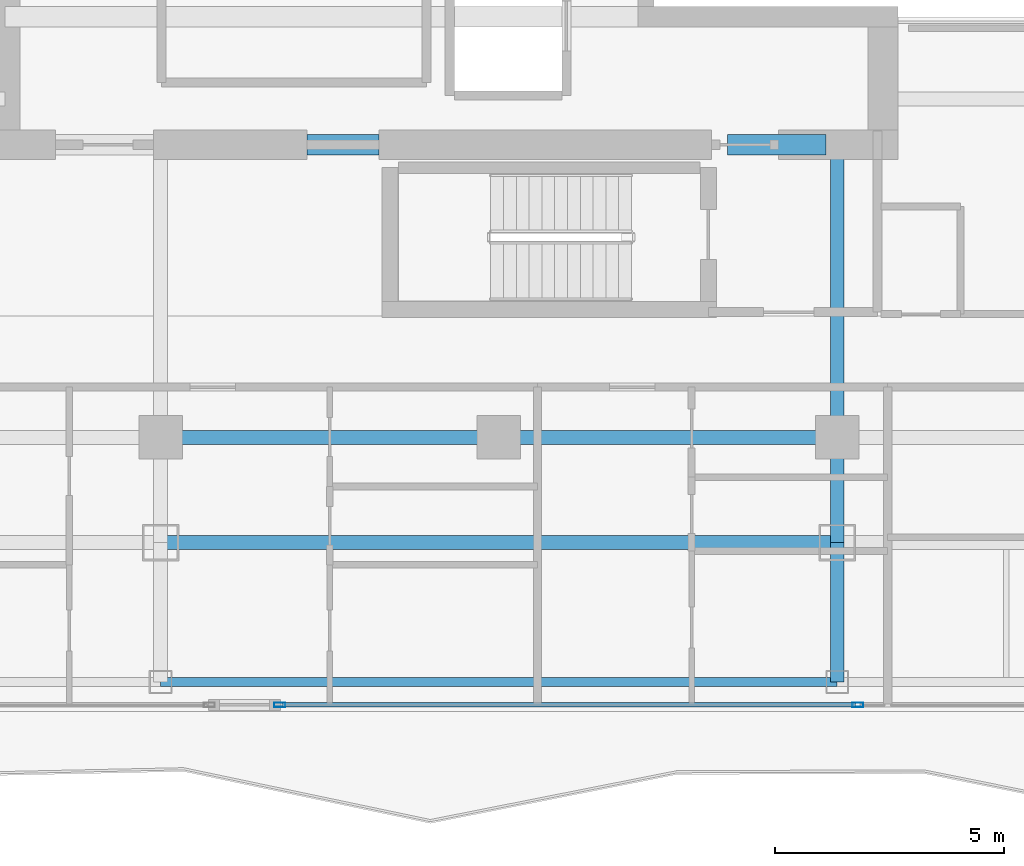
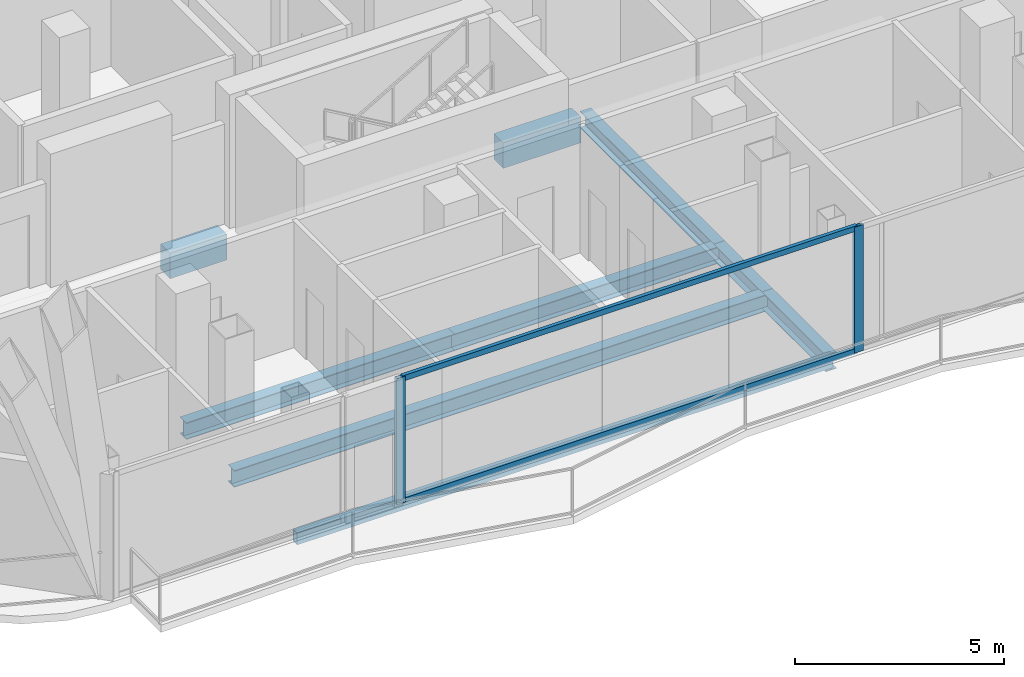
# One storey, part 4 of 27: 9 beams, 4 members, 1 element without a shape of its own.
"""IFC4 building model written with IfcOpenShell, lengths in metres."""

from ifc_helpers import new_model, si_unit, direction, frame, origin, origin_2d, place, context, subcontext, project, spatial, rectangle, hollow_rectangle, i_section, extrude, material, layer, layer_set, material_profile, profile_set, type_object, element, aggregate, save


model = new_model("IFC4")

# Units and contexts
model_context = context("Model", 3, precision=1e-05, world=origin(), true_north=direction((0.0, 1.0)))
body_context = subcontext(model_context, "Body", "Model", "MODEL_VIEW")
ifc_project = project(units=[si_unit("LENGTHUNIT", "METRE"), si_unit("AREAUNIT", "SQUARE_METRE"), si_unit("VOLUMEUNIT", "CUBIC_METRE"), si_unit("PLANEANGLEUNIT", "RADIAN"), si_unit("MASSUNIT", "GRAM", prefix="KILO")], contexts=[model_context])

# Site, building, storey
site_placement = place(None, origin())
site = spatial("IfcSite", under=ifc_project, at=site_placement, CompositionType="ELEMENT")
building_placement = place(site_placement, origin())
building = spatial("IfcBuilding", under=site, at=building_placement, Name="Khorvyn Point Tower", CompositionType="ELEMENT")
storey_placement = place(building_placement, frame((0.0, 0.0, 270.300048828125)))
storey = spatial("IfcBuildingStorey", under=building, at=storey_placement, Name="L66", CompositionType="ELEMENT", Elevation=270.300048828125)

# Curtain wall, members
ifc_material_1 = material(Name="Anodised aluminium 6063-T6 and laminated Low-E glass", Category="aluminium")
ifc_layer = layer(ifc_material_1, 0.18994140625)
ifc_layer_set = layer_set([ifc_layer], Name="Stick-Built High-Wind Curtain Wall CW-SYS-04")
curtain_wall_type = type_object("IfcCurtainWallType", Name="Stick-Built High-Wind Curtain Wall CW-SYS-04", PredefinedType="NOTDEFINED", material=ifc_layer_set)
curtain_wall_placement = place(storey_placement, origin())
curtain_wall = element("IfcCurtainWall", 1, at=curtain_wall_placement, inside=storey, type_object=curtain_wall_type, Name="Curtain Wall", PredefinedType="NOTDEFINED")
ifc_material_2 = material(Name="Anodised aluminium 6063-T6", Category="aluminium")
ifc_material_profile_1 = material_profile(ifc_material_2, hollow_rectangle(XDim=0.10009765625, YDim=0.239990234375, WallThickness=0.0048828125, at=origin_2d()))
ifc_profile_set_1 = profile_set([ifc_material_profile_1], Name="Anodised aluminium 6063-T6 ALU-MUL-100x240")
member_type_1 = type_object("IfcMemberType", Name="Anodised Aluminium 6063-T6 Mullion ALU-MUL-100x240", PredefinedType="MULLION", material=ifc_profile_set_1)
member_1_placement = place(storey_placement, frame((7.853515625, -20.64990234375, 0.0), z_axis=(0.0, 0.0, 1.0), x_axis=(0.0, -1.0, 0.0)))
member_1 = element("IfcMember", 2, at=member_1_placement, type_object=member_type_1, Name="Transom", PredefinedType="MULLION", context=body_context, shape_type="SweptSolid", body=[
    extrude(hollow_rectangle(XDim=0.10009765625, YDim=0.239990234375, WallThickness=0.0048828125, at=origin_2d()), origin(), (0.0, 0.0, 1.0), 3.679931640625),
])
member_2_placement = place(storey_placement, frame((-4.79296875, -20.64990234375, 0.0), z_axis=(0.0, 0.0, 1.0), x_axis=(0.0, -1.0, 0.0)))
member_2 = element("IfcMember", 3, at=member_2_placement, type_object=member_type_1, Name="Transom", PredefinedType="MULLION", context=body_context, shape_type="SweptSolid", body=[
    extrude(hollow_rectangle(XDim=0.10009765625, YDim=0.239990234375, WallThickness=0.0048828125, at=origin_2d()), origin(), (0.0, 0.0, 1.0), 3.679931640625),
])
ifc_material_profile_2 = material_profile(ifc_material_2, hollow_rectangle(XDim=0.10009765625, YDim=0.159912109375, WallThickness=0.00439453125, at=origin_2d()))
ifc_profile_set_2 = profile_set([ifc_material_profile_2], Name="Anodised aluminium 6063-T6 ALU-TRN-100x160")
member_type_2 = type_object("IfcMemberType", Name="Anodised Aluminium 6063-T6 Transom ALU-TRN-100x160", PredefinedType="USERDEFINED", material=ifc_profile_set_2)
member_3_placement = place(storey_placement, frame((7.803466796875, -20.64990234375, 0.050048828125), z_axis=(-1.0, 0.0, 0.0), x_axis=(0.0, -1.0, 0.0)))
member_3 = element("IfcMember", 4, at=member_3_placement, type_object=member_type_2, Name="Transom", ObjectType="TRANSOM", PredefinedType="USERDEFINED", context=body_context, shape_type="SweptSolid", body=[
    extrude(hollow_rectangle(XDim=0.10009765625, YDim=0.159912109375, WallThickness=0.00439453125, at=origin_2d()), origin(), (0.0, 0.0, 1.0), 12.54638671875),
])
member_4_placement = place(storey_placement, frame((7.803466796875, -20.64990234375, 3.6298828125), z_axis=(-1.0, 0.0, 0.0), x_axis=(0.0, -1.0, 0.0)))
member_4 = element("IfcMember", 5, at=member_4_placement, type_object=member_type_2, Name="Transom", ObjectType="TRANSOM", PredefinedType="USERDEFINED", context=body_context, shape_type="SweptSolid", body=[
    extrude(hollow_rectangle(XDim=0.10009765625, YDim=0.159912109375, WallThickness=0.00439453125, at=origin_2d()), origin(), (0.0, 0.0, 1.0), 12.54638671875),
])
aggregate(curtain_wall, [member_1, member_2, member_3, member_4])

# Beams
ifc_material_3 = material(Name="Concrete C40/50", Category="concrete")
ifc_material_profile_3 = material_profile(ifc_material_3, rectangle(XDim=0.449951171875, YDim=0.75, at=origin_2d()))
ifc_profile_set_3 = profile_set([ifc_material_profile_3], Name="Concrete C40/50 RC450x750")
beam_type_1 = type_object("IfcBeamType", Name="Concrete C40/50 Beam RC450x750", PredefinedType="BEAM", material=ifc_profile_set_3)
beam_1_placement = place(storey_placement, frame((-4.199951171875, -8.39990234375, -0.594970703125), z_axis=(1.0, 0.0, 0.0), x_axis=(0.0, 1.0, 0.0)))
element("IfcBeam", 6, at=beam_1_placement, inside=storey, type_object=beam_type_1, Name="L66 Core Shuttle Portal Coupling Beam", PredefinedType="BEAM", context=body_context, shape_type="SweptSolid", body=[
    extrude(rectangle(XDim=0.449951171875, YDim=0.75, at=origin_2d()), origin(), (0.0, 0.0, 1.0), 1.579833984375),
])
beam_2_placement = place(storey_placement, frame((5.0, -8.39990234375, -0.594970703125), z_axis=(1.0, 0.0, 0.0), x_axis=(0.0, 1.0, 0.0)))
element("IfcBeam", 7, at=beam_2_placement, inside=storey, type_object=beam_type_1, Name="L66 Core Southeast Portal Coupling Beam", PredefinedType="BEAM", context=body_context, shape_type="SweptSolid", body=[
    extrude(rectangle(XDim=0.449951171875, YDim=0.75, at=origin_2d()), origin(), (0.0, 0.0, 1.0), 2.14990234375),
])
ifc_material_4 = material(Name="Steel S355", Category="steel")
ifc_material_profile_4 = material_profile(ifc_material_4, i_section(OverallWidth=0.300048828125, OverallDepth=0.488037109375, WebThickness=0.010986328125, FlangeThickness=0.01806640625, at=origin_2d()))
ifc_profile_set_4 = profile_set([ifc_material_profile_4], Name="Steel S355 H488x300x11x18")
beam_type_2 = type_object("IfcBeamType", Name="Steel S355 Spandrel H488x300x11x18", PredefinedType="SPANDREL", material=ifc_profile_set_4)
for number, where, z_axis, x_axis, name in (
    (8, (-7.39990234375, -14.800048828125, -0.464111328125), (1.0, 0.0, 0.0), (0.0, 1.0, 0.0), "Beam"),
    (9, (0.0, -14.800048828125, -0.464111328125), (1.0, 0.0, 0.0), (0.0, 1.0, 0.0), "Beam"),
):
    element("IfcBeam", number, at=place(storey_placement, frame(where, z_axis=z_axis, x_axis=x_axis)), inside=storey, type_object=beam_type_2, Name=name, PredefinedType="SPANDREL", context=body_context, shape_type="SweptSolid", body=[
        extrude(i_section(OverallWidth=0.300048828125, OverallDepth=0.488037109375, WebThickness=0.010986328125, FlangeThickness=0.01806640625, at=origin_2d()), origin(), (0.0, 0.0, 1.0), 7.39990234375),
    ])
beam_3_placement = place(storey_placement, frame((-7.39990234375, -17.10009765625, -0.464111328125), z_axis=(1.0, 0.0, 0.0), x_axis=(0.0, 1.0, 0.0)))
element("IfcBeam", 10, at=beam_3_placement, inside=storey, type_object=beam_type_2, Name="Beam", PredefinedType="SPANDREL", context=body_context, shape_type="SweptSolid", body=[
    extrude(i_section(OverallWidth=0.300048828125, OverallDepth=0.488037109375, WebThickness=0.010986328125, FlangeThickness=0.01806640625, at=origin_2d()), origin(), (0.0, 0.0, 1.0), 14.7998046875),
])
beam_4_placement = place(storey_placement, frame((7.39990234375, -20.14990234375, -0.464111328125), z_axis=(0.0, 1.0, 0.0), x_axis=(-1.0, 0.0, 0.0)))
element("IfcBeam", 11, at=beam_4_placement, inside=storey, type_object=beam_type_2, Name="Beam", PredefinedType="SPANDREL", context=body_context, shape_type="SweptSolid", body=[
    extrude(i_section(OverallWidth=0.300048828125, OverallDepth=0.488037109375, WebThickness=0.010986328125, FlangeThickness=0.01806640625, at=origin_2d()), origin(), (0.0, 0.0, 1.0), 3.0498046875),
])
beam_5_placement = place(storey_placement, frame((7.39990234375, -17.10009765625, -0.464111328125), z_axis=(0.0, 1.0, 0.0), x_axis=(-1.0, 0.0, 0.0)))
element("IfcBeam", 12, at=beam_5_placement, inside=storey, type_object=beam_type_2, Name="Beam", PredefinedType="SPANDREL", context=body_context, shape_type="SweptSolid", body=[
    extrude(i_section(OverallWidth=0.300048828125, OverallDepth=0.488037109375, WebThickness=0.010986328125, FlangeThickness=0.01806640625, at=origin_2d()), origin(), (0.0, 0.0, 1.0), 2.300048828125),
])
beam_6_placement = place(storey_placement, frame((7.39990234375, -14.800048828125, -0.464111328125), z_axis=(0.0, 1.0, 0.0), x_axis=(-1.0, 0.0, 0.0)))
element("IfcBeam", 13, at=beam_6_placement, inside=storey, type_object=beam_type_2, Name="Beam", PredefinedType="SPANDREL", context=body_context, shape_type="SweptSolid", body=[
    extrude(i_section(OverallWidth=0.300048828125, OverallDepth=0.488037109375, WebThickness=0.010986328125, FlangeThickness=0.01806640625, at=origin_2d()), origin(), (0.0, 0.0, 1.0), 6.400146484375),
])
ifc_material_profile_5 = material_profile(ifc_material_4, hollow_rectangle(XDim=0.199951171875, YDim=0.35009765625, WallThickness=0.013916015625, at=origin_2d()))
ifc_profile_set_5 = profile_set([ifc_material_profile_5], Name="Steel S355 RHS350x200x14")
beam_type_3 = type_object("IfcBeamType", Name="Steel S355 Spandrel RHS350x200x14", PredefinedType="SPANDREL", material=ifc_profile_set_5)
beam_7_placement = place(storey_placement, frame((-7.39990234375, -20.14990234375, -0.39501953125), z_axis=(1.0, 0.0, 0.0), x_axis=(0.0, 1.0, 0.0)))
element("IfcBeam", 14, at=beam_7_placement, inside=storey, type_object=beam_type_3, Name="Beam", PredefinedType="SPANDREL", context=body_context, shape_type="SweptSolid", body=[
    extrude(hollow_rectangle(XDim=0.199951171875, YDim=0.35009765625, WallThickness=0.013916015625, at=origin_2d()), origin(), (0.0, 0.0, 1.0), 14.7998046875),
])

save(model, "model.ifc")
